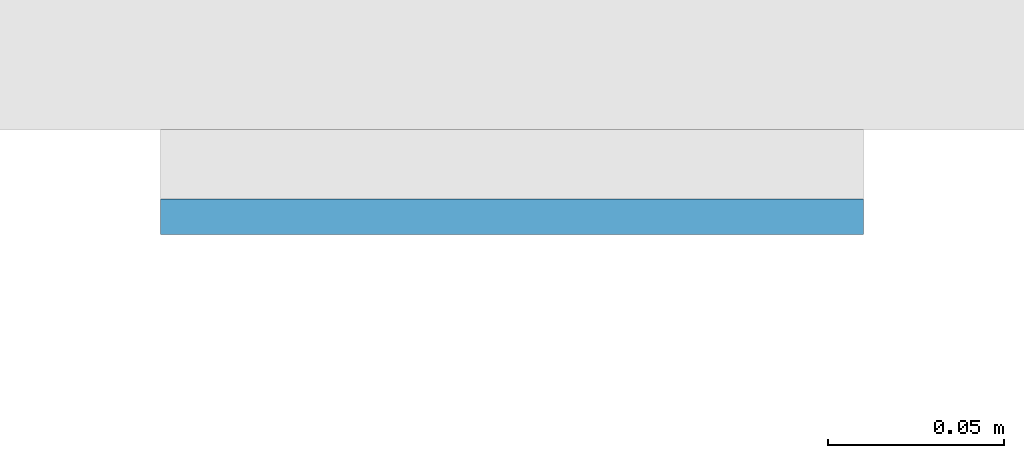
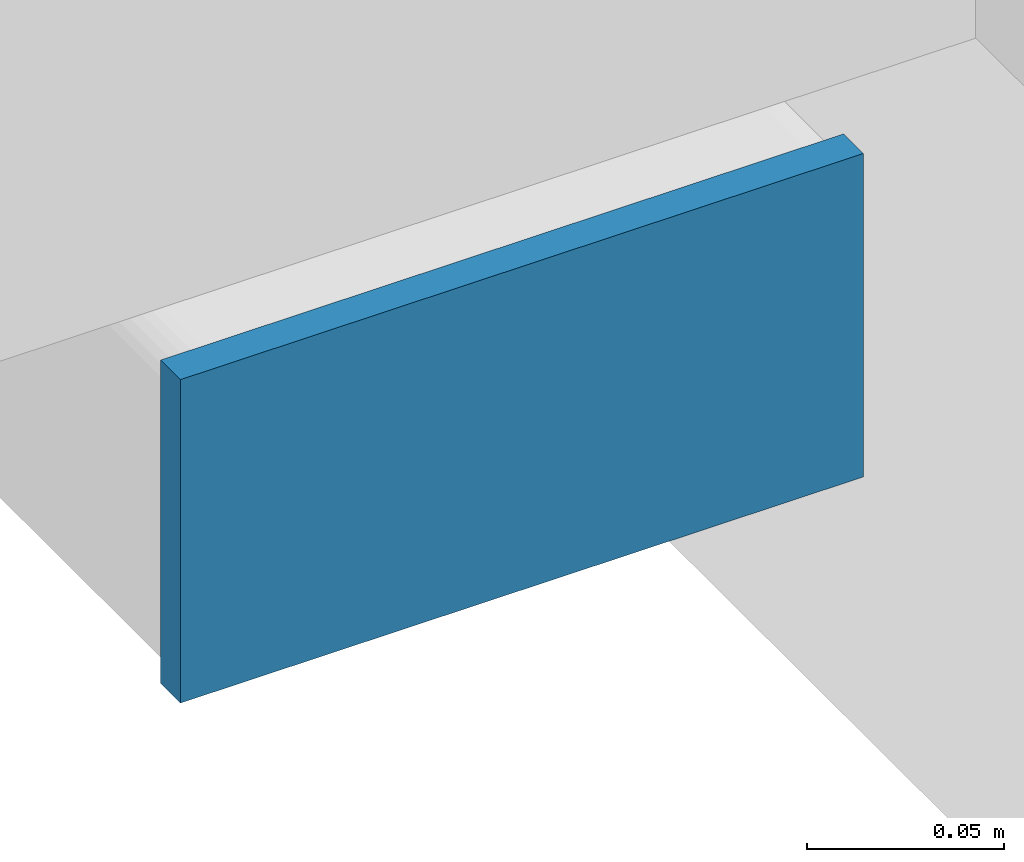
# One storey, part 8 of 20: 1 plate.
"""IFC4 building model written with IfcOpenShell, lengths in metres."""

from ifc_helpers import new_model, si_unit, direction, frame, origin, origin_2d, place, context, subcontext, project, spatial, rectangle, extrude, material, layer, layer_set, type_object, element, save


model = new_model("IFC4")

# Units and contexts
model_context = context("Model", 3, precision=1e-05, world=origin(), true_north=direction((0.0, 1.0)))
body_context = subcontext(model_context, "Body", "Model", "MODEL_VIEW")
ifc_project = project(units=[si_unit("LENGTHUNIT", "METRE"), si_unit("AREAUNIT", "SQUARE_METRE"), si_unit("VOLUMEUNIT", "CUBIC_METRE"), si_unit("PLANEANGLEUNIT", "RADIAN"), si_unit("MASSUNIT", "GRAM", prefix="KILO")], contexts=[model_context])

# Site, building, storey
site_placement = place(None, origin())
site = spatial("IfcSite", under=ifc_project, at=site_placement, CompositionType="ELEMENT")
building_placement = place(site_placement, origin())
building = spatial("IfcBuilding", under=site, at=building_placement, Name="Cleftline Residences", CompositionType="ELEMENT")
storey_placement = place(building_placement, frame((0.0, 0.0, 168.199951171875)))
storey = spatial("IfcBuildingStorey", under=building, at=storey_placement, Name="L44", CompositionType="ELEMENT", Elevation=168.199951171875)

# Plate
ifc_material = material(Name="Steel S355, hot-dip galvanised", Category="steel")
ifc_layer = layer(ifc_material, 0.010009765625)
ifc_layer_set = layer_set([ifc_layer], Name="BAGUETTE CARRIER END PLATE 200X100X10")
plate_type = type_object("IfcPlateType", Name="BAGUETTE CARRIER END PLATE 200X100X10", PredefinedType="USERDEFINED", material=ifc_layer_set)
plate_placement = place(storey_placement, frame((-0.85009765625, 3.695068359375, -0.10009765625), z_axis=(0.0, 0.0, 1.0), x_axis=(-1.0, 0.0, 0.0)))
element("IfcPlate", 1, at=plate_placement, inside=storey, type_object=plate_type, Name="Baguette carrier end plate", ObjectType="BAGUETTE CARRIER END PLATE", PredefinedType="USERDEFINED", context=body_context, shape_type="SweptSolid", body=[
    extrude(rectangle(XDim=0.199951171875, YDim=0.010009765625, at=origin_2d()), origin(), (0.0, 0.0, 1.0), 0.10009765625),
])

save(model, "model.ifc")
